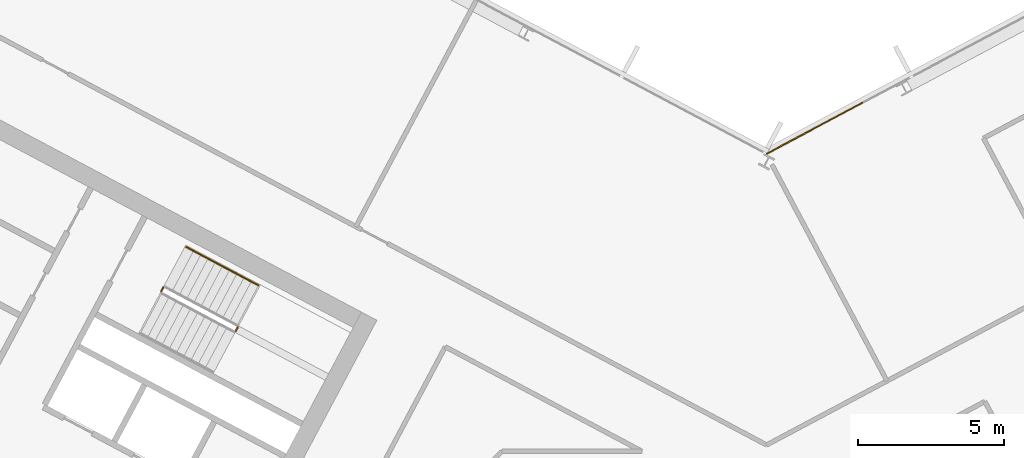
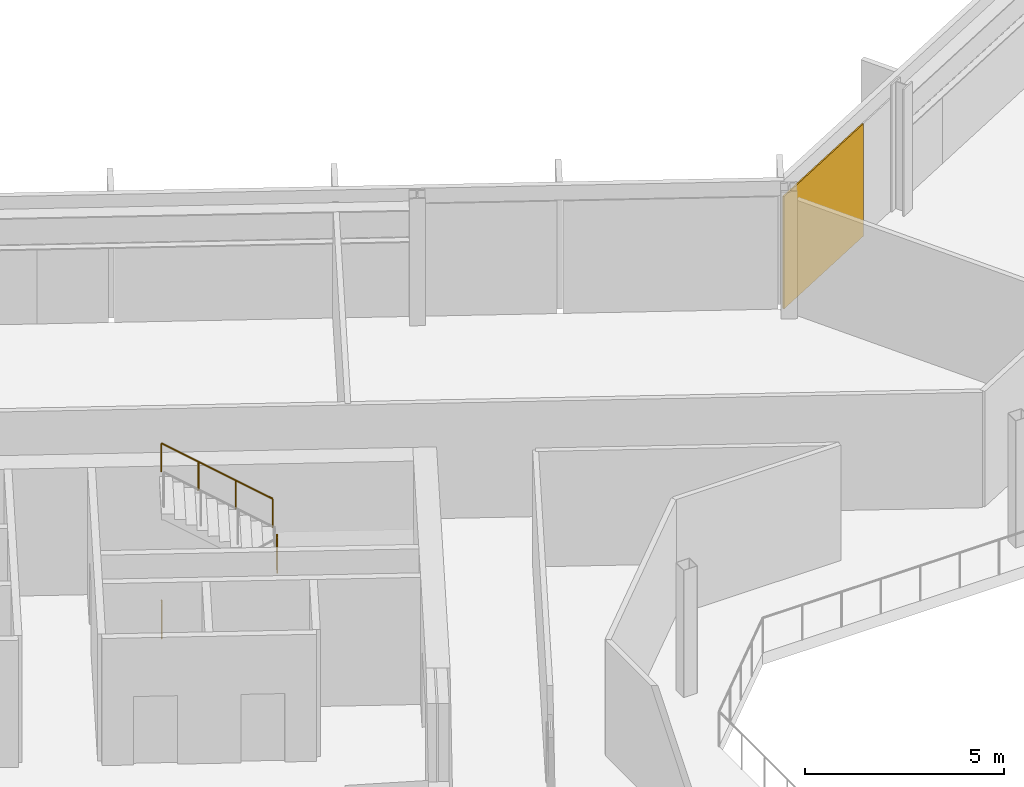
# One storey, part 22 of 26: 3 railings, 1 covering, 1 element without a shape of its own.
"""IFC4 building model written with IfcOpenShell, lengths in metres."""

from ifc_helpers import new_model, si_unit, direction, frame, origin, origin_2d, place, context, subcontext, project, spatial, polyline, rectangle, outline, extrude, material, layer, layer_set, type_object, element, aggregate, save


model = new_model("IFC4")

# Units and contexts
model_context = context("Model", 3, precision=1e-05, world=origin(), true_north=direction((0.0, 1.0)))
body_context = subcontext(model_context, "Body", "Model", "MODEL_VIEW")
ifc_project = project(units=[si_unit("LENGTHUNIT", "METRE"), si_unit("AREAUNIT", "SQUARE_METRE"), si_unit("VOLUMEUNIT", "CUBIC_METRE"), si_unit("PLANEANGLEUNIT", "RADIAN"), si_unit("MASSUNIT", "GRAM", prefix="KILO")], contexts=[model_context])

# Site, building, storey
site_placement = place(None, origin())
site = spatial("IfcSite", under=ifc_project, at=site_placement, CompositionType="ELEMENT")
building_placement = place(site_placement, origin())
building = spatial("IfcBuilding", under=site, at=building_placement, Name="Cormorant Relay Tower", CompositionType="ELEMENT")
storey_placement = place(building_placement, frame((0.0, 0.0, 228.60009765625)))
storey = spatial("IfcBuildingStorey", under=building, at=storey_placement, Name="L50", CompositionType="ELEMENT", Elevation=228.60009765625)

# Curtain wall, covering
ifc_material_1 = material(Name="Aluminium 6063-T6 anodised bronze", Category="aluminium")
ifc_layer_1 = layer(ifc_material_1, 0.199951171875)
ifc_layer_set_1 = layer_set([ifc_layer_1], Name="CW1 unitised bronze curtain wall with vertical fins")
curtain_wall_type = type_object("IfcCurtainWallType", Name="CW1 unitised bronze curtain wall with vertical fins", PredefinedType="NOTDEFINED", material=ifc_layer_set_1)
curtain_wall_placement = place(storey_placement, origin())
curtain_wall = element("IfcCurtainWall", 1, at=curtain_wall_placement, inside=storey, type_object=curtain_wall_type, Name="CW1 curtain wall 8", PredefinedType="NOTDEFINED")
ifc_material_2 = material(Name="Pale bronze anodised aluminium insulated panel", Category="aluminium")
ifc_layer_2 = layer(ifc_material_2, 0.0400390625)
ifc_layer_set_2 = layer_set([ifc_layer_2], Name="CW1 pale bronze insulated panel 40")
covering_type = type_object("IfcCoveringType", Name="CW1 pale bronze insulated panel 40", PredefinedType="CLADDING", material=ifc_layer_set_2)
covering_placement = place(storey_placement, frame((1.65234375, 24.685302734375, 0.0), z_axis=(0.0, 0.0, 1.0), x_axis=(-0.882947592859, -0.469471562786, 0.0)))
covering = element("IfcCovering", 2, at=covering_placement, type_object=covering_type, Name="CW1 panel S08", PredefinedType="CLADDING", context=body_context, shape_type="SweptSolid", body=[
    extrude(rectangle(XDim=3.763916015625, YDim=0.0400390625, at=origin_2d()), origin(), (0.0, 0.0, 1.0), 3.449951171875),
])
aggregate(curtain_wall, [covering])

# Railings
ifc_material_3 = material(Name="Steel ASTM A572 Grade 50 (Fy 345 MPa)", Category="steel")
railing_type_1 = type_object("IfcRailingType", Name="Stair guard 1100", PredefinedType="GUARDRAIL", material=ifc_material_3)
railing_1_placement = place(storey_placement, frame((-18.210693359375, 17.72412109375, 1.949951171875)))
element("IfcRailing", 3, at=railing_1_placement, inside=storey, type_object=railing_type_1, Name="L50 A1 stair guard 2", PredefinedType="GUARDRAIL", context=body_context, shape_type="SweptSolid", body=[
    extrude(outline(polyline([(0.022216796875, 0.00927734375), (0.00927734375, 0.022216796875), (-0.00927734375, 0.022216796875), (-0.022216796875, 0.00927734375), (-0.022216796875, -0.00927734375), (-0.00927734375, -0.022216796875), (0.00927734375, -0.022216796875), (0.022216796875, -0.00927734375), (0.022216796875, 0.00927734375)])), frame((0.0, 0.0, 1.076171875), z_axis=(0.470503732759, 0.882398003998, 0.0), x_axis=(-0.882398003998, 0.470503732759, 0.0)), (0.0, 0.0, 1.0), 0.14990234375),
    extrude(outline(polyline([(0.019287109375, 0.008056640625), (0.008056640625, 0.019287109375), (-0.008056640625, 0.019287109375), (-0.019287109375, 0.008056640625), (-0.019287109375, -0.008056640625), (-0.008056640625, -0.019287109375), (0.008056640625, -0.019287109375), (0.019287109375, -0.008056640625), (0.019287109375, 0.008056640625)])), origin(), (0.0, 0.0, 1.0), 1.052001953125),
    extrude(outline(polyline([(0.019287109375, 0.008056640625), (0.008056640625, 0.019287109375), (-0.008056640625, 0.019287109375), (-0.019287109375, 0.008056640625), (-0.019287109375, -0.008056640625), (-0.008056640625, -0.019287109375), (0.008056640625, -0.019287109375), (0.019287109375, -0.008056640625), (0.019287109375, 0.008056640625)])), frame((0.070556640625, 0.13232421875, 0.0)), (0.0, 0.0, 1.0), 1.052001953125),
])
railing_2_placement = place(storey_placement, frame((-20.771240234375, 19.08544921875, 0.0)))
element("IfcRailing", 4, at=railing_2_placement, inside=storey, type_object=railing_type_1, Name="L50 A1 stair guard 4", PredefinedType="GUARDRAIL", context=body_context, shape_type="SweptSolid", body=[
    extrude(outline(polyline([(0.022216796875, 0.00927734375), (0.00927734375, 0.022216796875), (-0.00927734375, 0.022216796875), (-0.022216796875, 0.00927734375), (-0.022216796875, -0.00927734375), (-0.00927734375, -0.022216796875), (0.00927734375, -0.022216796875), (0.022216796875, -0.00927734375), (0.022216796875, 0.00927734375)])), frame((0.0, 0.0, 1.076171875), z_axis=(0.469828648786, 0.882757634224, 0.0), x_axis=(-0.882757634224, 0.469828648786, 0.0)), (0.0, 0.0, 1.0), 0.150146484375),
    extrude(outline(polyline([(0.019287109375, 0.008056640625), (0.008056640625, 0.019287109375), (-0.008056640625, 0.019287109375), (-0.019287109375, 0.008056640625), (-0.019287109375, -0.008056640625), (-0.008056640625, -0.019287109375), (0.008056640625, -0.019287109375), (0.019287109375, -0.008056640625), (0.019287109375, 0.008056640625)])), origin(), (0.0, 0.0, 1.0), 1.052001953125),
    extrude(outline(polyline([(0.019287109375, 0.008056640625), (0.008056640625, 0.019287109375), (-0.008056640625, 0.019287109375), (-0.019287109375, 0.008056640625), (-0.019287109375, -0.008056640625), (-0.008056640625, -0.019287109375), (0.008056640625, -0.019287109375), (0.019287109375, -0.008056640625), (0.019287109375, 0.008056640625)])), frame((0.070556640625, 0.132568359375, 0.0)), (0.0, 0.0, 1.0), 1.052001953125),
])
ifc_material_4 = material(Name="Steel ASTM A572 Grade 50 (Fy 345 MPa)", Category="steel")
railing_type_2 = type_object("IfcRailingType", Name="Stair handrail 900", PredefinedType="HANDRAIL", material=ifc_material_4)
railing_3_placement = place(storey_placement, frame((-17.433349609375, 19.292724609375, 2.127197265625)))
element("IfcRailing", 5, at=railing_3_placement, inside=storey, type_object=railing_type_2, Name="L50 A1 stair handrail 2", PredefinedType="HANDRAIL", context=body_context, shape_type="SweptSolid", body=[
    extrude(outline(polyline([(0.022216796875, 0.00927734375), (0.00927734375, 0.022216796875), (-0.00927734375, 0.022216796875), (-0.022216796875, 0.00927734375), (-0.022216796875, -0.00927734375), (-0.00927734375, -0.022216796875), (0.00927734375, -0.022216796875), (0.022216796875, -0.00927734375), (0.022216796875, 0.00927734375)])), frame((0.0, 0.0, 0.8759765625), z_axis=(-0.746001213114, 0.396649272309, 0.534931345884), x_axis=(-0.469465464807, -0.882950835185, 0.0)), (0.0, 0.0, 1.0), 3.31396484375),
    extrude(outline(polyline([(0.019287109375, 0.008056640625), (0.008056640625, 0.019287109375), (-0.008056640625, 0.019287109375), (-0.019287109375, 0.008056640625), (-0.019287109375, -0.008056640625), (-0.008056640625, -0.019287109375), (0.008056640625, -0.019287109375), (0.019287109375, -0.008056640625), (0.019287109375, 0.008056640625)])), origin(), (0.0, 0.0, 1.0), 0.851806640625),
    extrude(outline(polyline([(0.019287109375, 0.008056640625), (0.008056640625, 0.019287109375), (-0.008056640625, 0.019287109375), (-0.019287109375, 0.008056640625), (-0.019287109375, -0.008056640625), (-0.008056640625, -0.019287109375), (0.008056640625, -0.019287109375), (0.019287109375, -0.008056640625), (0.019287109375, 0.008056640625)])), frame((-0.823974609375, 0.438232421875, 0.5908203125)), (0.0, 0.0, 1.0), 0.851806640625),
    extrude(outline(polyline([(0.019287109375, 0.008056640625), (0.008056640625, 0.019287109375), (-0.008056640625, 0.019287109375), (-0.019287109375, 0.008056640625), (-0.019287109375, -0.008056640625), (-0.008056640625, -0.019287109375), (0.008056640625, -0.019287109375), (0.019287109375, -0.008056640625), (0.019287109375, 0.008056640625)])), frame((-1.648193359375, 0.876220703125, 1.181884765625)), (0.0, 0.0, 1.0), 0.851806640625),
    extrude(outline(polyline([(0.019287109375, 0.008056640625), (0.008056640625, 0.019287109375), (-0.008056640625, 0.019287109375), (-0.019287109375, 0.008056640625), (-0.019287109375, -0.008056640625), (-0.008056640625, -0.019287109375), (0.008056640625, -0.019287109375), (0.019287109375, -0.008056640625), (0.019287109375, 0.008056640625)])), frame((-2.47216796875, 1.314453125, 1.772705078125)), (0.0, 0.0, 1.0), 0.851806640625),
])

save(model, "model.ifc")
